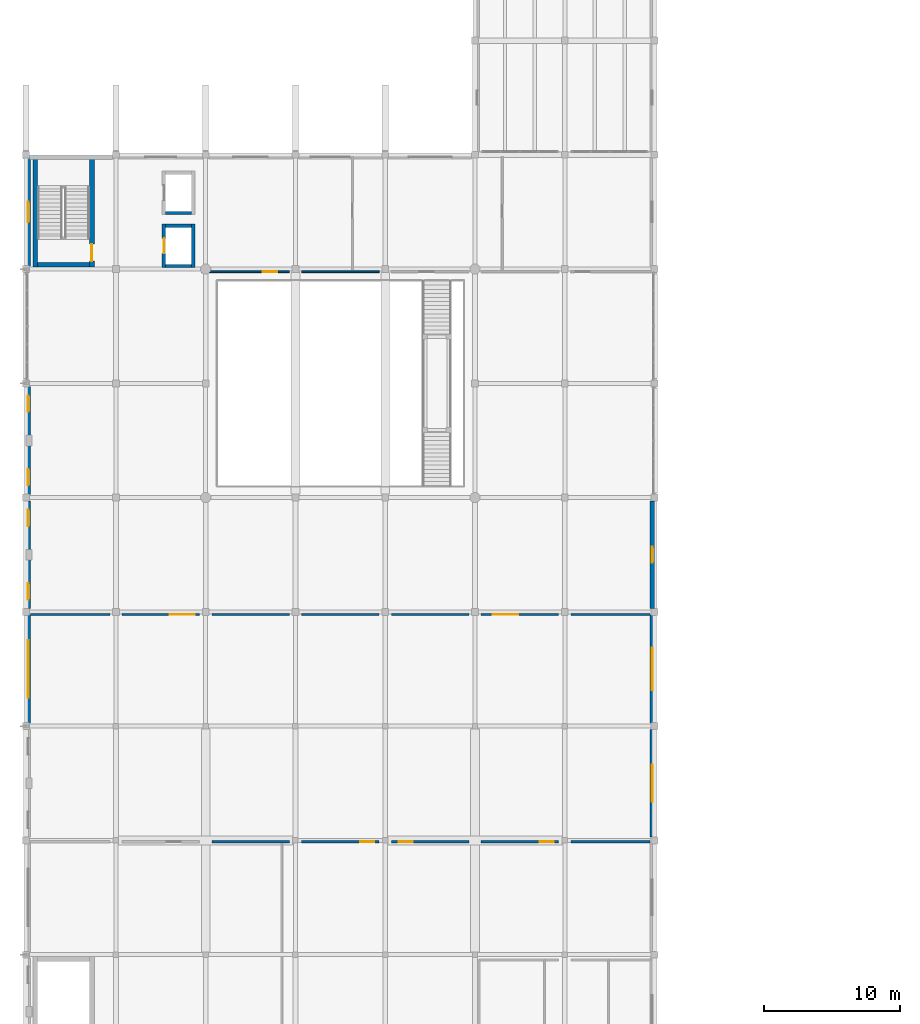
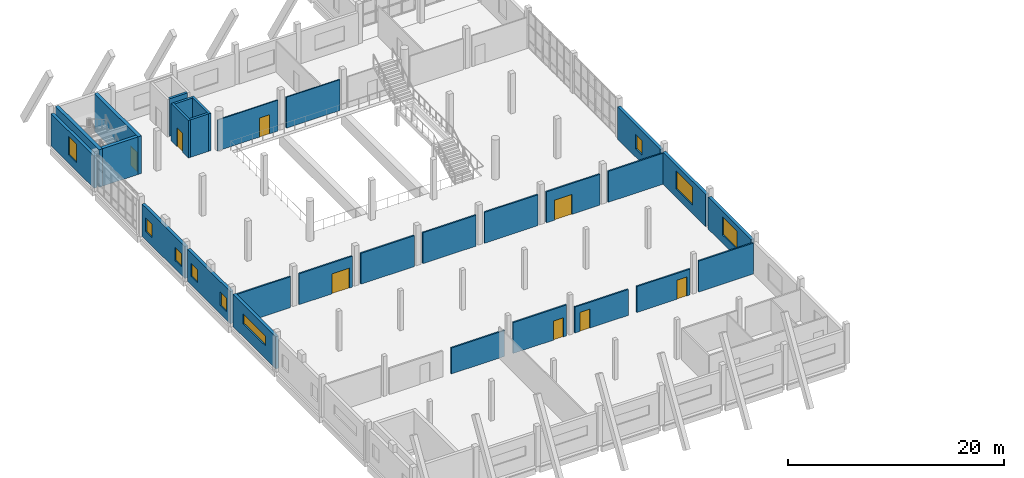
# One storey, part 46 of 76: 29 walls, 9 windows, 8 doors, 17 openings.
"""IFC4 building model written with IfcOpenShell, lengths in metres."""

from ifc_helpers import new_model, si_unit, direction, frame, frame_2d, origin, place, context, subcontext, project, spatial, rectangle, extrude, material, layer, layer_set, type_object, element, fill, save


model = new_model("IFC4")

# Units and contexts
model_context = context("Model", 3, precision=1e-05, world=origin(), true_north=direction((0.0, 1.0)))
body_context = subcontext(model_context, "Body", "Model", "MODEL_VIEW")
ifc_project = project(units=[si_unit("LENGTHUNIT", "METRE"), si_unit("AREAUNIT", "SQUARE_METRE"), si_unit("VOLUMEUNIT", "CUBIC_METRE"), si_unit("PLANEANGLEUNIT", "RADIAN"), si_unit("MASSUNIT", "GRAM", prefix="KILO")], contexts=[model_context])

# Site, building, storey
site_placement = place(None, origin())
site = spatial("IfcSite", under=ifc_project, at=site_placement, CompositionType="ELEMENT")
building_placement = place(site_placement, origin())
building = spatial("IfcBuilding", under=site, at=building_placement, Name="Qaldarim Faculty of Natural and Applied Sciences", CompositionType="ELEMENT")
storey_placement = place(building_placement, frame((0.0, 0.0, 9.89990234375)))
storey = spatial("IfcBuildingStorey", under=building, at=storey_placement, Name="L02", CompositionType="ELEMENT", Elevation=9.89990234375)

# Wall, opening, door
ifc_material_1 = material(Name="Painted gypsum partition board")
ifc_layer_1 = layer(ifc_material_1, 0.1201171875)
ifc_layer_set_1 = layer_set([ifc_layer_1], Name="Painted gypsum partition board")
wall_type_1 = type_object("IfcWallType", Name="AcousticPartition-120", PredefinedType="PARTITIONING", material=ifc_layer_set_1)
wall_1_placement = place(storey_placement, frame((12.89990234375, 75.39990234375, 0.0), z_axis=(0.0, 0.0, 1.0), x_axis=(1.0, 0.0, 0.0)))
wall_1 = element("IfcWall", 1, at=wall_1_placement, inside=storey, type_object=wall_type_1, Name="Interior partition PRT-L02-V2-FACS-S1", PredefinedType="PARTITIONING", context=body_context, shape_type="SweptSolid", body=[
    extrude(rectangle(XDim=6.4501953125, YDim=0.1201171875, at=frame_2d((3.22509765625, 0.0))), origin(), (0.0, 0.0, 1.0), 3.489990234375),
])
opening_1_placement = place(wall_1_placement, frame((4.5, 0.0, 0.0)))
opening_1 = element("IfcOpeningElement", 2, at=opening_1_placement, cuts=wall_1, Name="Opening ID02", PredefinedType="OPENING", context=body_context, shape_type="SweptSolid", body=[
    extrude(rectangle(XDim=1.050048828125, YDim=2.14990234375, at=frame_2d((0.52490234375, 1.074951171875))), frame((0.0, 0.070068359375, 0.0), z_axis=(0.0, -1.0, 0.0), x_axis=(1.0, 0.0, 0.0)), (0.0, 0.0, 1.0), 0.14013671875),
])
ifc_material_2 = material(Name="Oak hardwood", Category="wood")
door_type_1 = type_object("IfcDoorType", Name="AccessibleRoomDoor-1050x2150", OperationType="NOTDEFINED", PredefinedType="DOOR", material=ifc_material_2)
door_1_placement = place(opening_1_placement, origin())
door_1 = element("IfcDoor", 3, at=door_1_placement, inside=storey, type_object=door_type_1, Name="Interior door D-L02-211", OperationType="SINGLE_SWING_LEFT", OverallHeight=2.14990234375, OverallWidth=1.050048828125, PredefinedType="DOOR", context=body_context, shape_type="SweptSolid", body=[
    extrude(rectangle(XDim=1.050048828125, YDim=2.14990234375, at=frame_2d((0.52490234375, 1.074951171875))), frame((0.0, 0.02490234375, 0.0), z_axis=(0.0, -1.0, 0.0), x_axis=(1.0, 0.0, 0.0)), (0.0, 0.0, 1.0), 0.050048828125),
])
fill(opening_1, door_1)

# Walls
wall_2_placement = place(storey_placement, frame((20.25, 75.39990234375, 0.0), z_axis=(0.0, 0.0, 1.0), x_axis=(1.0, 0.0, 0.0)))
element("IfcWall", 4, at=wall_2_placement, inside=storey, type_object=wall_type_1, Name="Interior partition PRT-L02-V2-FACS-S2", PredefinedType="PARTITIONING", context=body_context, shape_type="SweptSolid", body=[
    extrude(rectangle(XDim=5.699951171875, YDim=0.1201171875, at=frame_2d((2.85009765625, 0.0))), origin(), (0.0, 0.0, 1.0), 3.489990234375),
])
ifc_material_3 = material(Name="Concrete C50/60", Category="concrete")
ifc_layer_2 = layer(ifc_material_3, 0.360107421875)
ifc_layer_set_2 = layer_set([ifc_layer_2], Name="Concrete C50/60")
wall_type_2 = type_object("IfcWallType", Name="CoreShearWall-360", PredefinedType="SHEAR", material=ifc_layer_set_2)
wall_3_placement = place(storey_placement, frame((0.669921875, 75.739990234375, 0.0), z_axis=(0.0, 0.0, 1.0), x_axis=(0.0, 1.0, 0.0)))
element("IfcWall", 5, at=wall_3_placement, inside=storey, type_object=wall_type_2, Name="Core stair ST-D2 west shear wall L02", PredefinedType="SHEAR", context=body_context, shape_type="SweptSolid", body=[
    extrude(rectangle(XDim=8.090087890625, YDim=0.360107421875, at=frame_2d((4.044921875, 0.0))), origin(), (0.0, 0.0, 1.0), 4.239990234375),
])

# Wall, opening, door
wall_4_placement = place(storey_placement, frame((4.830078125, 75.739990234375, 0.0), z_axis=(0.0, 0.0, 1.0), x_axis=(0.0, 1.0, 0.0)))
wall_4 = element("IfcWall", 6, at=wall_4_placement, inside=storey, type_object=wall_type_2, Name="Core stair ST-D2 east shear wall L02", PredefinedType="SHEAR", context=body_context, shape_type="SweptSolid", body=[
    extrude(rectangle(XDim=8.090087890625, YDim=0.360107421875, at=frame_2d((4.044921875, 0.0))), origin(), (0.0, 0.0, 1.0), 4.239990234375),
])
opening_2_placement = place(wall_4_placement, frame((0.449951171875, 0.0, 0.0)))
opening_2 = element("IfcOpeningElement", 7, at=opening_2_placement, cuts=wall_4, Name="Opening ID04", PredefinedType="OPENING", context=body_context, shape_type="SweptSolid", body=[
    extrude(rectangle(XDim=1.25, YDim=2.14990234375, at=frame_2d((0.625, 1.074951171875))), frame((0.0, 0.18994140625, 0.0), z_axis=(0.0, -1.0, 0.0), x_axis=(1.0, 0.0, 0.0)), (0.0, 0.0, 1.0), 0.380126953125),
])
ifc_material_4 = material(Name="Architectural stainless steel 316", Category="steel")
door_type_2 = type_object("IfcDoorType", Name="StairEnclosureFireDoor-1250x2150", OperationType="NOTDEFINED", PredefinedType="DOOR", material=ifc_material_4)
door_2_placement = place(opening_2_placement, origin())
door_2 = element("IfcDoor", 8, at=door_2_placement, inside=storey, type_object=door_type_2, Name="Protected stair ST-D2 fire door D-L02-555", OperationType="SINGLE_SWING_RIGHT", OverallHeight=2.14990234375, OverallWidth=1.25, PredefinedType="DOOR", context=body_context, shape_type="SweptSolid", body=[
    extrude(rectangle(XDim=1.25, YDim=2.14990234375, at=frame_2d((0.625, 1.074951171875))), frame((0.0, 0.02490234375, 0.0), z_axis=(0.0, -1.0, 0.0), x_axis=(1.0, 0.0, 0.0)), (0.0, 0.0, 1.0), 0.050048828125),
])
fill(opening_2, door_2)

# Wall
wall_5_placement = place(storey_placement, frame((0.85009765625, 75.919921875, 0.0), z_axis=(0.0, 0.0, 1.0), x_axis=(1.0, 0.0, 0.0)))
element("IfcWall", 9, at=wall_5_placement, inside=storey, type_object=wall_type_2, Name="Core stair ST-D2 south shear wall L02", PredefinedType="SHEAR", context=body_context, shape_type="SweptSolid", body=[
    extrude(rectangle(XDim=3.7998046875, YDim=0.360107421875, at=frame_2d((1.89990234375, 0.0))), origin(), (0.0, 0.0, 1.0), 4.239990234375),
])

# Wall, opening, window
ifc_material_5 = material(Name="Precast concrete C40/50", Category="concrete")
ifc_layer_3 = layer(ifc_material_5, 0.320068359375)
ifc_layer_set_3 = layer_set([ifc_layer_3], Name="Precast concrete C40/50")
wall_type_3 = type_object("IfcWallType", Name="ExteriorLimestoneWall-320", PredefinedType="SOLIDWALL", material=ifc_layer_set_3)
wall_6_placement = place(storey_placement, frame((0.159912109375, 50.155029296875, 0.0), z_axis=(0.0, 0.0, 1.0), x_axis=(0.0, -1.0, 0.0)))
wall_6 = element("IfcWall", 10, at=wall_6_placement, inside=storey, type_object=wall_type_3, Name="Exterior wall EW01 L02 W X01Y06", PredefinedType="SOLIDWALL", context=body_context, shape_type="SweptSolid", body=[
    extrude(rectangle(XDim=7.909912109375, YDim=0.320068359375, at=frame_2d((3.955078125, 0.0))), origin(), (0.0, 0.0, 1.0), 3.625),
])
opening_3_placement = place(wall_6_placement, frame((1.85498046875, 0.0, 1.449951171875)))
opening_3 = element("IfcOpeningElement", 11, at=opening_3_placement, cuts=wall_6, Name="Opening WN08", PredefinedType="OPENING", context=body_context, shape_type="SweptSolid", body=[
    extrude(rectangle(XDim=4.199951171875, YDim=1.10009765625, at=frame_2d((2.10009765625, 0.550048828125))), frame((0.0, 0.169921875, 0.0), z_axis=(0.0, -1.0, 0.0), x_axis=(1.0, 0.0, 0.0)), (0.0, 0.0, 1.0), 0.340087890625),
])
ifc_material_6 = material(Name="Insulated low-e double glazing", Category="glass")
window_type_1 = type_object("IfcWindowType", Name="ClerestoryWindow-4200x1100", PartitioningType="TRIPLE_PANEL_HORIZONTAL", PredefinedType="WINDOW", material=ifc_material_6)
window_1_placement = place(opening_3_placement, origin())
window_1 = element("IfcWindow", 12, at=window_1_placement, inside=storey, type_object=window_type_1, Name="Facade window WN08 L02 W X01Y06", OverallHeight=1.10009765625, OverallWidth=4.199951171875, PartitioningType="SINGLE_PANEL", PredefinedType="WINDOW", context=body_context, shape_type="SweptSolid", body=[
    extrude(rectangle(XDim=4.199951171875, YDim=1.10009765625, at=frame_2d((2.10009765625, 0.550048828125))), frame((0.0, 0.030029296875, 0.0), z_axis=(0.0, -1.0, 0.0), x_axis=(1.0, 0.0, 0.0)), (0.0, 0.0, 1.0), 0.06005859375),
])
fill(opening_3, window_1)

# Wall, openings, windows
wall_7_placement = place(storey_placement, frame((0.159912109375, 58.554931640625, 0.0), z_axis=(0.0, 0.0, 1.0), x_axis=(0.0, -1.0, 0.0)))
wall_7 = element("IfcWall", 13, at=wall_7_placement, inside=storey, type_object=wall_type_3, Name="Exterior wall EW01 L02 W X01Y07", PredefinedType="SOLIDWALL", context=body_context, shape_type="SweptSolid", body=[
    extrude(rectangle(XDim=7.909912109375, YDim=0.320068359375, at=frame_2d((3.955078125, 0.0))), origin(), (0.0, 0.0, 1.0), 3.625),
])
opening_4_placement = place(wall_7_placement, frame((0.64990234375, 0.0, 0.949951171875)))
opening_4 = element("IfcOpeningElement", 14, at=opening_4_placement, cuts=wall_7, Name="Opening WN01", PredefinedType="OPENING", context=body_context, shape_type="SweptSolid", body=[
    extrude(rectangle(XDim=1.199951171875, YDim=1.5, at=frame_2d((0.60009765625, 0.75))), frame((0.0, 0.169921875, 0.0), z_axis=(0.0, -1.0, 0.0), x_axis=(1.0, 0.0, 0.0)), (0.0, 0.0, 1.0), 0.340087890625),
])
opening_5_placement = place(wall_7_placement, frame((6.06005859375, 0.0, 0.949951171875)))
opening_5 = element("IfcOpeningElement", 15, at=opening_5_placement, cuts=wall_7, Name="Opening WN01", PredefinedType="OPENING", context=body_context, shape_type="SweptSolid", body=[
    extrude(rectangle(XDim=1.199951171875, YDim=1.5, at=frame_2d((0.60009765625, 0.75))), frame((0.0, 0.169921875, 0.0), z_axis=(0.0, -1.0, 0.0), x_axis=(1.0, 0.0, 0.0)), (0.0, 0.0, 1.0), 0.340087890625),
])
window_type_2 = type_object("IfcWindowType", Name="Window-1200x1500", PartitioningType="SINGLE_PANEL", PredefinedType="WINDOW", material=ifc_material_6)
window_2_placement = place(opening_4_placement, origin())
window_2 = element("IfcWindow", 16, at=window_2_placement, inside=storey, type_object=window_type_2, Name="Pilaster-bay flanking window L02 W X01Y07-1", OverallHeight=1.5, OverallWidth=1.199951171875, PartitioningType="SINGLE_PANEL", PredefinedType="WINDOW", context=body_context, shape_type="SweptSolid", body=[
    extrude(rectangle(XDim=1.199951171875, YDim=1.5, at=frame_2d((0.60009765625, 0.75))), frame((0.0, 0.030029296875, 0.0), z_axis=(0.0, -1.0, 0.0), x_axis=(1.0, 0.0, 0.0)), (0.0, 0.0, 1.0), 0.06005859375),
])
fill(opening_4, window_2)
window_3_placement = place(opening_5_placement, origin())
window_3 = element("IfcWindow", 17, at=window_3_placement, inside=storey, type_object=window_type_2, Name="Pilaster-bay flanking window L02 W X01Y07-2", OverallHeight=1.5, OverallWidth=1.199951171875, PartitioningType="SINGLE_PANEL", PredefinedType="WINDOW", context=body_context, shape_type="SweptSolid", body=[
    extrude(rectangle(XDim=1.199951171875, YDim=1.5, at=frame_2d((0.60009765625, 0.75))), frame((0.0, 0.030029296875, 0.0), z_axis=(0.0, -1.0, 0.0), x_axis=(1.0, 0.0, 0.0)), (0.0, 0.0, 1.0), 0.06005859375),
])
fill(opening_5, window_3)

wall_8_placement = place(storey_placement, frame((0.159912109375, 66.955078125, 0.0), z_axis=(0.0, 0.0, 1.0), x_axis=(0.0, -1.0, 0.0)))
wall_8 = element("IfcWall", 18, at=wall_8_placement, inside=storey, type_object=wall_type_3, Name="Exterior wall EW01 L02 W X01Y08", PredefinedType="SOLIDWALL", context=body_context, shape_type="SweptSolid", body=[
    extrude(rectangle(XDim=7.91015625, YDim=0.320068359375, at=frame_2d((3.955078125, 0.0))), origin(), (0.0, 0.0, 1.0), 3.625),
])
opening_6_placement = place(wall_8_placement, frame((0.64990234375, 0.0, 0.949951171875)))
opening_6 = element("IfcOpeningElement", 19, at=opening_6_placement, cuts=wall_8, Name="Opening WN01", PredefinedType="OPENING", context=body_context, shape_type="SweptSolid", body=[
    extrude(rectangle(XDim=1.199951171875, YDim=1.5, at=frame_2d((0.60009765625, 0.75))), frame((0.0, 0.169921875, 0.0), z_axis=(0.0, -1.0, 0.0), x_axis=(1.0, 0.0, 0.0)), (0.0, 0.0, 1.0), 0.340087890625),
])
opening_7_placement = place(wall_8_placement, frame((6.06005859375, 0.0, 0.949951171875)))
opening_7 = element("IfcOpeningElement", 20, at=opening_7_placement, cuts=wall_8, Name="Opening WN01", PredefinedType="OPENING", context=body_context, shape_type="SweptSolid", body=[
    extrude(rectangle(XDim=1.199951171875, YDim=1.5, at=frame_2d((0.60009765625, 0.75))), frame((0.0, 0.169921875, 0.0), z_axis=(0.0, -1.0, 0.0), x_axis=(1.0, 0.0, 0.0)), (0.0, 0.0, 1.0), 0.340087890625),
])
window_4_placement = place(opening_6_placement, origin())
window_4 = element("IfcWindow", 21, at=window_4_placement, inside=storey, type_object=window_type_2, Name="Pilaster-bay flanking window L02 W X01Y08-1", OverallHeight=1.5, OverallWidth=1.199951171875, PartitioningType="SINGLE_PANEL", PredefinedType="WINDOW", context=body_context, shape_type="SweptSolid", body=[
    extrude(rectangle(XDim=1.199951171875, YDim=1.5, at=frame_2d((0.60009765625, 0.75))), frame((0.0, 0.030029296875, 0.0), z_axis=(0.0, -1.0, 0.0), x_axis=(1.0, 0.0, 0.0)), (0.0, 0.0, 1.0), 0.06005859375),
])
fill(opening_6, window_4)
window_5_placement = place(opening_7_placement, origin())
window_5 = element("IfcWindow", 22, at=window_5_placement, inside=storey, type_object=window_type_2, Name="Pilaster-bay flanking window L02 W X01Y08-2", OverallHeight=1.5, OverallWidth=1.199951171875, PartitioningType="SINGLE_PANEL", PredefinedType="WINDOW", context=body_context, shape_type="SweptSolid", body=[
    extrude(rectangle(XDim=1.199951171875, YDim=1.5, at=frame_2d((0.60009765625, 0.75))), frame((0.0, 0.030029296875, 0.0), z_axis=(0.0, -1.0, 0.0), x_axis=(1.0, 0.0, 0.0)), (0.0, 0.0, 1.0), 0.06005859375),
])
fill(opening_7, window_5)

# Wall, opening, window
wall_9_placement = place(storey_placement, frame((0.159912109375, 83.7548828125, 0.0), z_axis=(0.0, 0.0, 1.0), x_axis=(0.0, -1.0, 0.0)))
wall_9 = element("IfcWall", 23, at=wall_9_placement, inside=storey, type_object=wall_type_3, Name="Exterior wall EW01 L02 W X01Y10", PredefinedType="SOLIDWALL", context=body_context, shape_type="SweptSolid", body=[
    extrude(rectangle(XDim=7.909912109375, YDim=0.320068359375, at=frame_2d((3.955078125, 0.0))), origin(), (0.0, 0.0, 1.0), 3.625),
])
opening_8_placement = place(wall_9_placement, frame((3.205078125, 0.0, 0.949951171875)))
opening_8 = element("IfcOpeningElement", 24, at=opening_8_placement, cuts=wall_9, Name="Opening WN06", PredefinedType="OPENING", context=body_context, shape_type="SweptSolid", body=[
    extrude(rectangle(XDim=1.5, YDim=2.10009765625, at=frame_2d((0.75, 1.050048828125))), frame((0.0, 0.169921875, 0.0), z_axis=(0.0, -1.0, 0.0), x_axis=(1.0, 0.0, 0.0)), (0.0, 0.0, 1.0), 0.340087890625),
])
window_type_3 = type_object("IfcWindowType", Name="Window-1500x2100", PartitioningType="DOUBLE_PANEL_VERTICAL", PredefinedType="WINDOW", material=ifc_material_6)
window_6_placement = place(opening_8_placement, origin())
window_6 = element("IfcWindow", 25, at=window_6_placement, inside=storey, type_object=window_type_3, Name="Facade window WN06 L02 W X01Y10", OverallHeight=2.10009765625, OverallWidth=1.5, PartitioningType="SINGLE_PANEL", PredefinedType="WINDOW", context=body_context, shape_type="SweptSolid", body=[
    extrude(rectangle(XDim=1.5, YDim=2.10009765625, at=frame_2d((0.75, 1.050048828125))), frame((0.0, 0.030029296875, 0.0), z_axis=(0.0, -1.0, 0.0), x_axis=(1.0, 0.0, 0.0)), (0.0, 0.0, 1.0), 0.06005859375),
])
fill(opening_8, window_6)

wall_10_placement = place(storey_placement, frame((46.0400390625, 33.844970703125, 0.0), z_axis=(0.0, 0.0, 1.0), x_axis=(0.0, 1.0, 0.0)))
wall_10 = element("IfcWall", 26, at=wall_10_placement, inside=storey, type_object=wall_type_3, Name="Exterior wall EW01 L02 E X07Y05", PredefinedType="SOLIDWALL", context=body_context, shape_type="SweptSolid", body=[
    extrude(rectangle(XDim=7.909912109375, YDim=0.320068359375, at=frame_2d((3.955078125, 0.0))), origin(), (0.0, 0.0, 1.0), 3.625),
])
opening_9_placement = place(wall_10_placement, frame((2.60498046875, 0.0, 0.949951171875)))
opening_9 = element("IfcOpeningElement", 27, at=opening_9_placement, cuts=wall_10, Name="Opening WN29", PredefinedType="OPENING", context=body_context, shape_type="SweptSolid", body=[
    extrude(rectangle(XDim=2.699951171875, YDim=2.050048828125, at=frame_2d((1.35009765625, 1.02490234375))), frame((0.0, 0.169921875, 0.0), z_axis=(0.0, -1.0, 0.0), x_axis=(1.0, 0.0, 0.0)), (0.0, 0.0, 1.0), 0.340087890625),
])
window_type_4 = type_object("IfcWindowType", Name="GalleryWindow-2700x2050", PartitioningType="TRIPLE_PANEL_VERTICAL", PredefinedType="WINDOW", material=ifc_material_6)
window_7_placement = place(opening_9_placement, origin())
window_7 = element("IfcWindow", 28, at=window_7_placement, inside=storey, type_object=window_type_4, Name="Facade window WN29 L02 E X07Y05", OverallHeight=2.050048828125, OverallWidth=2.699951171875, PartitioningType="SINGLE_PANEL", PredefinedType="WINDOW", context=body_context, shape_type="SweptSolid", body=[
    extrude(rectangle(XDim=2.699951171875, YDim=2.050048828125, at=frame_2d((1.35009765625, 1.02490234375))), frame((0.0, 0.030029296875, 0.0), z_axis=(0.0, -1.0, 0.0), x_axis=(1.0, 0.0, 0.0)), (0.0, 0.0, 1.0), 0.06005859375),
])
fill(opening_9, window_7)

wall_11_placement = place(storey_placement, frame((46.0400390625, 42.2451171875, 0.0), z_axis=(0.0, 0.0, 1.0), x_axis=(0.0, 1.0, 0.0)))
wall_11 = element("IfcWall", 29, at=wall_11_placement, inside=storey, type_object=wall_type_3, Name="Exterior wall EW01 L02 E X07Y06", PredefinedType="SOLIDWALL", context=body_context, shape_type="SweptSolid", body=[
    extrude(rectangle(XDim=7.909912109375, YDim=0.320068359375, at=frame_2d((3.955078125, 0.0))), origin(), (0.0, 0.0, 1.0), 3.625),
])
opening_10_placement = place(wall_11_placement, frame((2.405029296875, 0.0, 0.949951171875)))
opening_10 = element("IfcOpeningElement", 30, at=opening_10_placement, cuts=wall_11, Name="Opening WN30", PredefinedType="OPENING", context=body_context, shape_type="SweptSolid", body=[
    extrude(rectangle(XDim=3.10009765625, YDim=2.050048828125, at=frame_2d((1.550048828125, 1.02490234375))), frame((0.0, 0.169921875, 0.0), z_axis=(0.0, -1.0, 0.0), x_axis=(1.0, 0.0, 0.0)), (0.0, 0.0, 1.0), 0.340087890625),
])
window_type_5 = type_object("IfcWindowType", Name="GalleryWindow-3100x2050", PartitioningType="TRIPLE_PANEL_VERTICAL", PredefinedType="WINDOW", material=ifc_material_6)
window_8_placement = place(opening_10_placement, origin())
window_8 = element("IfcWindow", 31, at=window_8_placement, inside=storey, type_object=window_type_5, Name="Facade window WN30 L02 E X07Y06", OverallHeight=2.050048828125, OverallWidth=3.10009765625, PartitioningType="SINGLE_PANEL", PredefinedType="WINDOW", context=body_context, shape_type="SweptSolid", body=[
    extrude(rectangle(XDim=3.10009765625, YDim=2.050048828125, at=frame_2d((1.550048828125, 1.02490234375))), frame((0.0, 0.030029296875, 0.0), z_axis=(0.0, -1.0, 0.0), x_axis=(1.0, 0.0, 0.0)), (0.0, 0.0, 1.0), 0.06005859375),
])
fill(opening_10, window_8)

wall_12_placement = place(storey_placement, frame((46.0400390625, 50.64501953125, 0.0), z_axis=(0.0, 0.0, 1.0), x_axis=(0.0, 1.0, 0.0)))
wall_12 = element("IfcWall", 32, at=wall_12_placement, inside=storey, type_object=wall_type_3, Name="Exterior wall EW01 L02 E X07Y07", PredefinedType="SOLIDWALL", context=body_context, shape_type="SweptSolid", body=[
    extrude(rectangle(XDim=7.909912109375, YDim=0.320068359375, at=frame_2d((3.955078125, 0.0))), origin(), (0.0, 0.0, 1.0), 3.625),
])
opening_11_placement = place(wall_12_placement, frame((3.3798828125, 0.0, 0.949951171875)))
opening_11 = element("IfcOpeningElement", 33, at=opening_11_placement, cuts=wall_12, Name="Opening WN31", PredefinedType="OPENING", context=body_context, shape_type="SweptSolid", body=[
    extrude(rectangle(XDim=1.14990234375, YDim=1.60009765625, at=frame_2d((0.574951171875, 0.800048828125))), frame((0.0, 0.169921875, 0.0), z_axis=(0.0, -1.0, 0.0), x_axis=(1.0, 0.0, 0.0)), (0.0, 0.0, 1.0), 0.340087890625),
])
window_type_6 = type_object("IfcWindowType", Name="SeminarWindow-1150x1600", PartitioningType="SINGLE_PANEL", PredefinedType="WINDOW", material=ifc_material_6)
window_9_placement = place(opening_11_placement, origin())
window_9 = element("IfcWindow", 34, at=window_9_placement, inside=storey, type_object=window_type_6, Name="Facade window WN31 L02 E X07Y07", OverallHeight=1.60009765625, OverallWidth=1.14990234375, PartitioningType="SINGLE_PANEL", PredefinedType="WINDOW", context=body_context, shape_type="SweptSolid", body=[
    extrude(rectangle(XDim=1.14990234375, YDim=1.60009765625, at=frame_2d((0.574951171875, 0.800048828125))), frame((0.0, 0.030029296875, 0.0), z_axis=(0.0, -1.0, 0.0), x_axis=(1.0, 0.0, 0.0)), (0.0, 0.0, 1.0), 0.06005859375),
])
fill(opening_11, window_9)

# Wall
ifc_material_7 = material(Name="Concrete C40/50", Category="concrete")
ifc_layer_4 = layer(ifc_material_7, 0.159912109375)
ifc_layer_set_4 = layer_set([ifc_layer_4], Name="Concrete C40/50")
wall_type_4 = type_object("IfcWallType", Name="FireCorridorWall-160", PredefinedType="PARTITIONING", material=ifc_layer_set_4)
wall_13_placement = place(storey_placement, frame((13.64990234375, 33.5, 0.0), z_axis=(0.0, 0.0, 1.0), x_axis=(1.0, 0.0, 0.0)))
element("IfcWall", 35, at=wall_13_placement, inside=storey, type_object=wall_type_4, Name="Interior partition PRT-L02-V1-DRWS-S3", PredefinedType="PARTITIONING", context=body_context, shape_type="SweptSolid", body=[
    extrude(rectangle(XDim=5.7001953125, YDim=0.159912109375, at=frame_2d((2.85009765625, 0.0))), origin(), (0.0, 0.0, 1.0), 2.925048828125),
])

# Wall, opening, door
wall_14_placement = place(storey_placement, frame((20.25, 33.5, 0.0), z_axis=(0.0, 0.0, 1.0), x_axis=(1.0, 0.0, 0.0)))
wall_14 = element("IfcWall", 36, at=wall_14_placement, inside=storey, type_object=wall_type_4, Name="Interior partition PRT-L02-V1-DRWS-S4", PredefinedType="PARTITIONING", context=body_context, shape_type="SweptSolid", body=[
    extrude(rectangle(XDim=5.699951171875, YDim=0.159912109375, at=frame_2d((2.85009765625, 0.0))), origin(), (0.0, 0.0, 1.0), 3.489990234375),
])
opening_12_placement = place(wall_14_placement, frame((4.300048828125, 0.0, 0.0)))
opening_12 = element("IfcOpeningElement", 37, at=opening_12_placement, cuts=wall_14, Name="Opening ID02", PredefinedType="OPENING", context=body_context, shape_type="SweptSolid", body=[
    extrude(rectangle(XDim=1.050048828125, YDim=2.14990234375, at=frame_2d((0.52490234375, 1.074951171875))), frame((0.0, 0.08984375, 0.0), z_axis=(0.0, -1.0, 0.0), x_axis=(1.0, 0.0, 0.0)), (0.0, 0.0, 1.0), 0.179931640625),
])
door_3_placement = place(opening_12_placement, origin())
door_3 = element("IfcDoor", 38, at=door_3_placement, inside=storey, type_object=door_type_1, Name="Interior door D-L02-206", OperationType="SINGLE_SWING_RIGHT", OverallHeight=2.14990234375, OverallWidth=1.050048828125, PredefinedType="DOOR", context=body_context, shape_type="SweptSolid", body=[
    extrude(rectangle(XDim=1.050048828125, YDim=2.14990234375, at=frame_2d((0.52490234375, 1.074951171875))), frame((0.0, 0.02490234375, 0.0), z_axis=(0.0, -1.0, 0.0), x_axis=(1.0, 0.0, 0.0)), (0.0, 0.0, 1.0), 0.050048828125),
])
fill(opening_12, door_3)

wall_15_placement = place(storey_placement, frame((26.85009765625, 33.5, 0.0), z_axis=(0.0, 0.0, 1.0), x_axis=(1.0, 0.0, 0.0)))
wall_15 = element("IfcWall", 39, at=wall_15_placement, inside=storey, type_object=wall_type_4, Name="Interior partition PRT-L02-V1-DRWS-S5", PredefinedType="PARTITIONING", context=body_context, shape_type="SweptSolid", body=[
    extrude(rectangle(XDim=5.699951171875, YDim=0.159912109375, at=frame_2d((2.85009765625, 0.0))), origin(), (0.0, 0.0, 1.0), 2.925048828125),
])
opening_13_placement = place(wall_15_placement, frame((0.530029296875, 0.0, 0.0)))
opening_13 = element("IfcOpeningElement", 40, at=opening_13_placement, cuts=wall_15, Name="Opening ID02", PredefinedType="OPENING", context=body_context, shape_type="SweptSolid", body=[
    extrude(rectangle(XDim=1.050048828125, YDim=2.14990234375, at=frame_2d((0.52490234375, 1.074951171875))), frame((0.0, 0.08984375, 0.0), z_axis=(0.0, -1.0, 0.0), x_axis=(1.0, 0.0, 0.0)), (0.0, 0.0, 1.0), 0.179931640625),
])
door_4_placement = place(opening_13_placement, origin())
door_4 = element("IfcDoor", 41, at=door_4_placement, inside=storey, type_object=door_type_1, Name="Interior door D-L02-207", OperationType="SINGLE_SWING_LEFT", OverallHeight=2.14990234375, OverallWidth=1.050048828125, PredefinedType="DOOR", context=body_context, shape_type="SweptSolid", body=[
    extrude(rectangle(XDim=1.050048828125, YDim=2.14990234375, at=frame_2d((0.52490234375, 1.074951171875))), frame((0.0, 0.02490234375, 0.0), z_axis=(0.0, -1.0, 0.0), x_axis=(1.0, 0.0, 0.0)), (0.0, 0.0, 1.0), 0.050048828125),
])
fill(opening_13, door_4)

wall_16_placement = place(storey_placement, frame((33.449951171875, 33.5, 0.0), z_axis=(0.0, 0.0, 1.0), x_axis=(1.0, 0.0, 0.0)))
wall_16 = element("IfcWall", 42, at=wall_16_placement, inside=storey, type_object=wall_type_4, Name="Interior partition PRT-L02-V1-DRWS-S6", PredefinedType="PARTITIONING", context=body_context, shape_type="SweptSolid", body=[
    extrude(rectangle(XDim=5.699951171875, YDim=0.159912109375, at=frame_2d((2.85009765625, 0.0))), origin(), (0.0, 0.0, 1.0), 2.925048828125),
])
opening_14_placement = place(wall_16_placement, frame((4.300048828125, 0.0, 0.0)))
opening_14 = element("IfcOpeningElement", 43, at=opening_14_placement, cuts=wall_16, Name="Opening ID02", PredefinedType="OPENING", context=body_context, shape_type="SweptSolid", body=[
    extrude(rectangle(XDim=1.050048828125, YDim=2.14990234375, at=frame_2d((0.52490234375, 1.074951171875))), frame((0.0, 0.08984375, 0.0), z_axis=(0.0, -1.0, 0.0), x_axis=(1.0, 0.0, 0.0)), (0.0, 0.0, 1.0), 0.179931640625),
])
door_5_placement = place(opening_14_placement, origin())
door_5 = element("IfcDoor", 44, at=door_5_placement, inside=storey, type_object=door_type_1, Name="Interior door D-L02-208", OperationType="SINGLE_SWING_RIGHT", OverallHeight=2.14990234375, OverallWidth=1.050048828125, PredefinedType="DOOR", context=body_context, shape_type="SweptSolid", body=[
    extrude(rectangle(XDim=1.050048828125, YDim=2.14990234375, at=frame_2d((0.52490234375, 1.074951171875))), frame((0.0, 0.02490234375, 0.0), z_axis=(0.0, -1.0, 0.0), x_axis=(1.0, 0.0, 0.0)), (0.0, 0.0, 1.0), 0.050048828125),
])
fill(opening_14, door_5)

# Walls
for number, where, z_axis, x_axis, name in (
    (45, (40.050048828125, 33.5, 0.0), (0.0, 0.0, 1.0), (1.0, 0.0, 0.0), "Interior partition PRT-L02-V1-DRWS-S7"),
    (46, (0.320068359375, 50.199951171875, 0.0), (0.0, 0.0, 1.0), (1.0, 0.0, 0.0), "Interior partition PRT-L02-V1-DRWN-S1"),
):
    element("IfcWall", number, at=place(storey_placement, frame(where, z_axis=z_axis, x_axis=x_axis)), inside=storey, type_object=wall_type_4, Name=name, PredefinedType="PARTITIONING", context=body_context, shape_type="SweptSolid", body=[
        extrude(rectangle(XDim=5.829833984375, YDim=0.159912109375, at=frame_2d((2.9150390625, 0.0))), origin(), (0.0, 0.0, 1.0), 3.489990234375),
    ])

# Wall, opening, door
wall_17_placement = place(storey_placement, frame((7.050048828125, 50.199951171875, 0.0), z_axis=(0.0, 0.0, 1.0), x_axis=(1.0, 0.0, 0.0)))
wall_17 = element("IfcWall", 47, at=wall_17_placement, inside=storey, type_object=wall_type_4, Name="Interior partition PRT-L02-V1-DRWN-S2", PredefinedType="PARTITIONING", context=body_context, shape_type="SweptSolid", body=[
    extrude(rectangle(XDim=5.699951171875, YDim=0.159912109375, at=frame_2d((2.85009765625, 0.0))), origin(), (0.0, 0.0, 1.0), 3.489990234375),
])
opening_15_placement = place(wall_17_placement, frame((3.5, 0.0, 0.0)))
opening_15 = element("IfcOpeningElement", 48, at=opening_15_placement, cuts=wall_17, Name="Opening ID05", PredefinedType="OPENING", context=body_context, shape_type="SweptSolid", body=[
    extrude(rectangle(XDim=1.85009765625, YDim=2.25, at=frame_2d((0.925048828125, 1.125))), frame((0.0, 0.08984375, 0.0), z_axis=(0.0, -1.0, 0.0), x_axis=(1.0, 0.0, 0.0)), (0.0, 0.0, 1.0), 0.179931640625),
])
door_type_3 = type_object("IfcDoorType", Name="LectureDoubleDoor-1850x2250", OperationType="NOTDEFINED", PredefinedType="DOOR", material=ifc_material_2)
door_6_placement = place(opening_15_placement, origin())
door_6 = element("IfcDoor", 49, at=door_6_placement, inside=storey, type_object=door_type_3, Name="Interior door D-L02-209", OperationType="DOUBLE_DOOR_SINGLE_SWING", OverallHeight=2.25, OverallWidth=1.85009765625, PredefinedType="DOOR", context=body_context, shape_type="SweptSolid", body=[
    extrude(rectangle(XDim=1.85009765625, YDim=2.25, at=frame_2d((0.925048828125, 1.125))), frame((0.0, 0.02490234375, 0.0), z_axis=(0.0, -1.0, 0.0), x_axis=(1.0, 0.0, 0.0)), (0.0, 0.0, 1.0), 0.050048828125),
])
fill(opening_15, door_6)

# Walls
wall_18_placement = place(storey_placement, frame((13.64990234375, 50.199951171875, 0.0), z_axis=(0.0, 0.0, 1.0), x_axis=(1.0, 0.0, 0.0)))
element("IfcWall", 50, at=wall_18_placement, inside=storey, type_object=wall_type_4, Name="Interior partition PRT-L02-V1-DRWN-S3", PredefinedType="PARTITIONING", context=body_context, shape_type="SweptSolid", body=[
    extrude(rectangle(XDim=5.7001953125, YDim=0.159912109375, at=frame_2d((2.85009765625, 0.0))), origin(), (0.0, 0.0, 1.0), 3.489990234375),
])
for number, where, z_axis, x_axis, name in (
    (51, (20.25, 50.199951171875, 0.0), (0.0, 0.0, 1.0), (1.0, 0.0, 0.0), "Interior partition PRT-L02-V1-DRWN-S4"),
    (52, (26.85009765625, 50.199951171875, 0.0), (0.0, 0.0, 1.0), (1.0, 0.0, 0.0), "Interior partition PRT-L02-V1-DRWN-S5"),
):
    element("IfcWall", number, at=place(storey_placement, frame(where, z_axis=z_axis, x_axis=x_axis)), inside=storey, type_object=wall_type_4, Name=name, PredefinedType="PARTITIONING", context=body_context, shape_type="SweptSolid", body=[
        extrude(rectangle(XDim=5.699951171875, YDim=0.159912109375, at=frame_2d((2.85009765625, 0.0))), origin(), (0.0, 0.0, 1.0), 3.489990234375),
    ])

# Wall, opening, door
wall_19_placement = place(storey_placement, frame((33.449951171875, 50.199951171875, 0.0), z_axis=(0.0, 0.0, 1.0), x_axis=(1.0, 0.0, 0.0)))
wall_19 = element("IfcWall", 53, at=wall_19_placement, inside=storey, type_object=wall_type_4, Name="Interior partition PRT-L02-V1-DRWN-S6", PredefinedType="PARTITIONING", context=body_context, shape_type="SweptSolid", body=[
    extrude(rectangle(XDim=5.699951171875, YDim=0.159912109375, at=frame_2d((2.85009765625, 0.0))), origin(), (0.0, 0.0, 1.0), 3.489990234375),
])
opening_16_placement = place(wall_19_placement, frame((0.8701171875, 0.0, 0.0)))
opening_16 = element("IfcOpeningElement", 54, at=opening_16_placement, cuts=wall_19, Name="Opening ID05", PredefinedType="OPENING", context=body_context, shape_type="SweptSolid", body=[
    extrude(rectangle(XDim=1.85009765625, YDim=2.25, at=frame_2d((0.925048828125, 1.125))), frame((0.0, 0.08984375, 0.0), z_axis=(0.0, -1.0, 0.0), x_axis=(1.0, 0.0, 0.0)), (0.0, 0.0, 1.0), 0.179931640625),
])
door_7_placement = place(opening_16_placement, origin())
door_7 = element("IfcDoor", 55, at=door_7_placement, inside=storey, type_object=door_type_3, Name="Interior door D-L02-210", OperationType="DOUBLE_DOOR_SINGLE_SWING", OverallHeight=2.25, OverallWidth=1.85009765625, PredefinedType="DOOR", context=body_context, shape_type="SweptSolid", body=[
    extrude(rectangle(XDim=1.85009765625, YDim=2.25, at=frame_2d((0.925048828125, 1.125))), frame((0.0, 0.02490234375, 0.0), z_axis=(0.0, -1.0, 0.0), x_axis=(1.0, 0.0, 0.0)), (0.0, 0.0, 1.0), 0.050048828125),
])
fill(opening_16, door_7)

# Wall
wall_20_placement = place(storey_placement, frame((40.050048828125, 50.199951171875, 0.0), z_axis=(0.0, 0.0, 1.0), x_axis=(1.0, 0.0, 0.0)))
element("IfcWall", 56, at=wall_20_placement, inside=storey, type_object=wall_type_4, Name="Interior partition PRT-L02-V1-DRWN-S7", PredefinedType="PARTITIONING", context=body_context, shape_type="SweptSolid", body=[
    extrude(rectangle(XDim=5.829833984375, YDim=0.159912109375, at=frame_2d((2.9150390625, 0.0))), origin(), (0.0, 0.0, 1.0), 3.489990234375),
])

# Wall, opening, door
ifc_layer_5 = layer(ifc_material_7, 0.25)
ifc_layer_set_5 = layer_set([ifc_layer_5], Name="Concrete C40/50")
wall_type_5 = type_object("IfcWallType", Name="LiftShaftWall-250", PredefinedType="SHEAR", material=ifc_layer_set_5)
wall_21_placement = place(storey_placement, frame((10.125, 75.699951171875, 0.0), z_axis=(0.0, 0.0, 1.0), x_axis=(0.0, 1.0, 0.0)))
wall_21 = element("IfcWall", 57, at=wall_21_placement, inside=storey, type_object=wall_type_5, Name="Lift LF-D1 front shaft wall L02", PredefinedType="SHEAR", context=body_context, shape_type="SweptSolid", body=[
    extrude(rectangle(XDim=3.199951171875, YDim=0.25, at=frame_2d((1.60009765625, 0.0))), origin(), (0.0, 0.0, 1.0), 4.239990234375),
])
opening_17_placement = place(wall_21_placement, frame((1.050048828125, 0.0, 0.0)))
opening_17 = element("IfcOpeningElement", 58, at=opening_17_placement, cuts=wall_21, Name="Opening LD01", PredefinedType="OPENING", context=body_context, shape_type="SweptSolid", body=[
    extrude(rectangle(XDim=1.10009765625, YDim=2.14990234375, at=frame_2d((0.550048828125, 1.074951171875))), frame((0.0, 0.135009765625, 0.0), z_axis=(0.0, -1.0, 0.0), x_axis=(1.0, 0.0, 0.0)), (0.0, 0.0, 1.0), 0.27001953125),
])
door_type_4 = type_object("IfcDoorType", Name="LiftLandingSlidingDoor-1100x2150", OperationType="NOTDEFINED", PredefinedType="DOOR", material=ifc_material_4)
door_8_placement = place(opening_17_placement, origin())
door_8 = element("IfcDoor", 59, at=door_8_placement, inside=storey, type_object=door_type_4, Name="Lift landing sliding door LF-D1 D-L02-665", OperationType="SLIDING_TO_LEFT", OverallHeight=2.14990234375, OverallWidth=1.10009765625, PredefinedType="DOOR", context=body_context, shape_type="SweptSolid", body=[
    extrude(rectangle(XDim=1.10009765625, YDim=2.14990234375, at=frame_2d((0.550048828125, 1.074951171875))), frame((0.0, 0.02490234375, 0.0), z_axis=(0.0, -1.0, 0.0), x_axis=(1.0, 0.0, 0.0)), (0.0, 0.0, 1.0), 0.050048828125),
])
fill(opening_17, door_8)

# Walls
wall_22_placement = place(storey_placement, frame((12.27490234375, 75.699951171875, 0.0), z_axis=(0.0, 0.0, 1.0), x_axis=(0.0, 1.0, 0.0)))
element("IfcWall", 60, at=wall_22_placement, inside=storey, type_object=wall_type_5, Name="Lift LF-D1 rear shaft wall L02", PredefinedType="SHEAR", context=body_context, shape_type="SweptSolid", body=[
    extrude(rectangle(XDim=3.199951171875, YDim=0.25, at=frame_2d((1.60009765625, 0.0))), origin(), (0.0, 0.0, 1.0), 4.239990234375),
])
for number, where, z_axis, x_axis, name in (
    (61, (10.25, 75.824951171875, 0.0), (0.0, 0.0, 1.0), (1.0, 0.0, 0.0), "Lift LF-D1 south shaft wall L02"),
    (62, (10.25, 78.77490234375, 0.0), (0.0, 0.0, 1.0), (1.0, 0.0, 0.0), "Lift LF-D1 north shaft wall L02"),
    (63, (10.25, 79.72509765625, 0.0), (0.0, 0.0, 1.0), (1.0, 0.0, 0.0), "Lift LF-D2 south shaft wall L02"),
):
    element("IfcWall", number, at=place(storey_placement, frame(where, z_axis=z_axis, x_axis=x_axis)), inside=storey, type_object=wall_type_5, Name=name, PredefinedType="SHEAR", context=body_context, shape_type="SweptSolid", body=[
        extrude(rectangle(XDim=1.89990234375, YDim=0.25, at=frame_2d((0.949951171875, 0.0))), origin(), (0.0, 0.0, 1.0), 4.239990234375),
    ])

save(model, "model.ifc")
